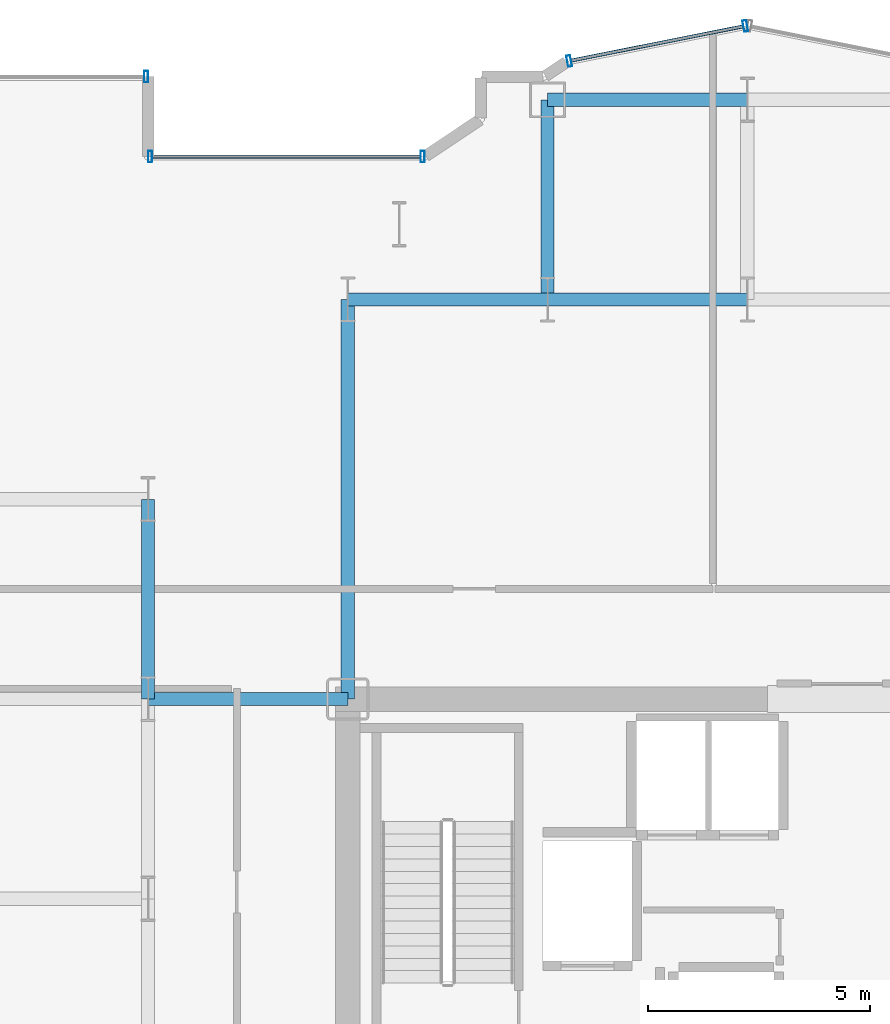
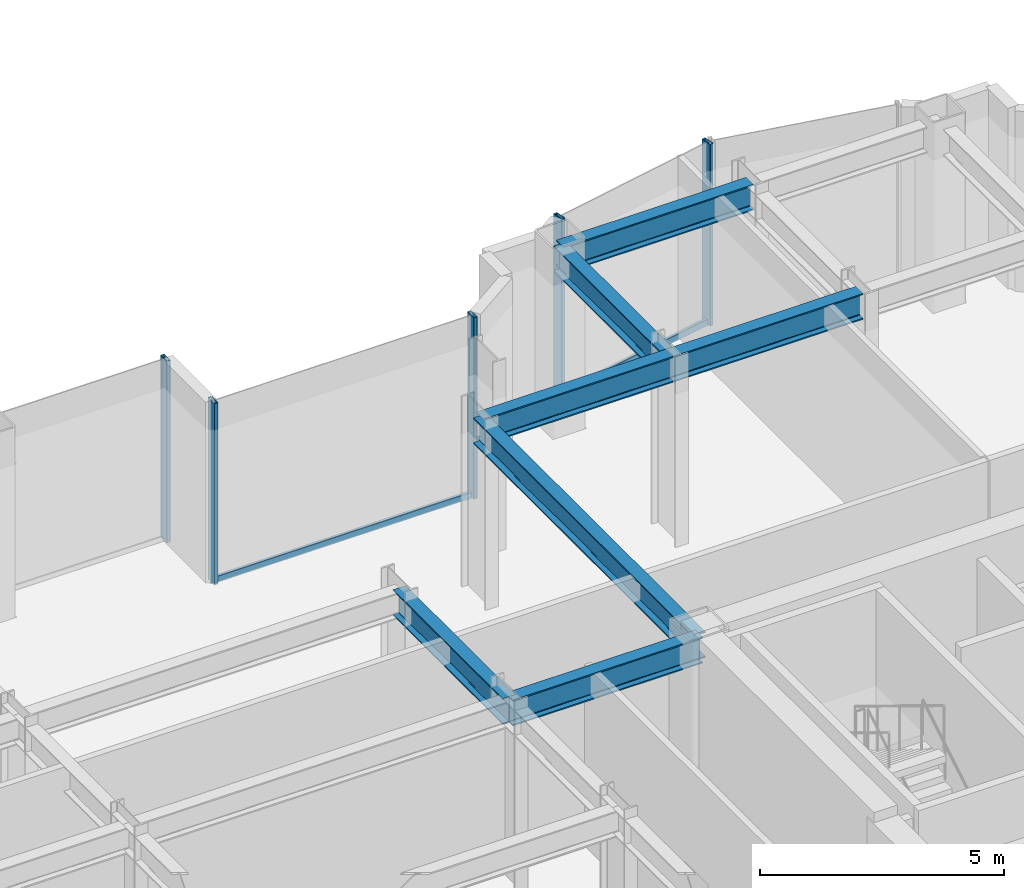
# One storey, part 10 of 27: 7 beams, 7 members, 3 elements without a shape of their own.
"""IFC4 building model written with IfcOpenShell, lengths in metres."""

from ifc_helpers import new_model, si_unit, direction, frame, origin, origin_2d, place, context, subcontext, project, spatial, hollow_rectangle, i_section, extrude, source, transform, mapped, material, layer, layer_set, material_profile, profile_set, type_object, element, aggregate, save


model = new_model("IFC4")

# Units and contexts
model_context = context("Model", 3, precision=1e-05, world=origin(), true_north=direction((0.0, 1.0)))
body_context = subcontext(model_context, "Body", "Model", "MODEL_VIEW")
ifc_project = project(units=[si_unit("LENGTHUNIT", "METRE"), si_unit("AREAUNIT", "SQUARE_METRE"), si_unit("VOLUMEUNIT", "CUBIC_METRE"), si_unit("PLANEANGLEUNIT", "RADIAN"), si_unit("MASSUNIT", "GRAM", prefix="KILO")], contexts=[model_context])

# Site, building, storey
site_placement = place(None, origin())
site = spatial("IfcSite", under=ifc_project, at=site_placement, CompositionType="ELEMENT")
building_placement = place(site_placement, origin())
building = spatial("IfcBuilding", under=site, at=building_placement, Name="Nefas-Gora Pilgrimage Tower", CompositionType="ELEMENT")
storey_placement = place(building_placement, frame((0.0, 0.0, 144.0)))
storey = spatial("IfcBuildingStorey", under=building, at=storey_placement, Name="L35", CompositionType="ELEMENT", Elevation=144.0)

# Beams
ifc_material_1 = material(Name="Steel S355", Category="steel")
ifc_material_profile_1 = material_profile(ifc_material_1, i_section(OverallWidth=0.300048828125, OverallDepth=0.64990234375, WebThickness=0.01611328125, FlangeThickness=0.031005859375, FilletRadius=0.027099609375, at=origin_2d()), Name="HEB 650")
ifc_profile_set_1 = profile_set([ifc_material_profile_1], Name="Steel S355")
beam_type = type_object("IfcBeamType", Name="BM-GIR-HEB650", PredefinedType="BEAM", material=ifc_profile_set_1)
shared_shape_1 = source(origin(), body_context, "Body", "SweptSolid", [
    extrude(i_section(OverallWidth=0.300048828125, OverallDepth=0.64990234375, WebThickness=0.01611328125, FlangeThickness=0.031005859375, FilletRadius=0.027099609375, at=origin_2d()), origin(), (0.0, 0.0, 1.0), 9.0),
])
beam_placement = place(storey_placement, frame((-11.25, 9.0, 4.22509765625), z_axis=(0.0, 1.0, 0.0), x_axis=(-1.0, 0.0, 0.0)))
element("IfcBeam", 1, at=beam_placement, inside=storey, type_object=beam_type, Name="L35 G-03 beam", PredefinedType="BEAM", context=body_context, shape_type="MappedRepresentation", body=[
    mapped(shared_shape_1, transform((0.0, 0.0, 0.0), x_axis=(1.0, 0.0, 0.0), y_axis=(0.0, 1.0, 0.0), z_axis=(0.0, 0.0, 1.0), scale=1.0)),
])
shared_shape_2 = source(origin(), body_context, "Body", "SweptSolid", [
    extrude(i_section(OverallWidth=0.300048828125, OverallDepth=0.64990234375, WebThickness=0.01611328125, FlangeThickness=0.031005859375, FilletRadius=0.027099609375, at=origin_2d()), origin(), (0.0, 0.0, 1.0), 4.5),
])
for number, where, z_axis, x_axis, name in (
    (2, (-15.75, 9.0, 4.22509765625), (0.0, 1.0, 0.0), (-1.0, 0.0, 0.0), "L35 G-03 beam"),
    (3, (-15.75, 9.0, 4.22509765625), (1.0, 0.0, 0.0), (0.0, 1.0, 0.0), "L35 G-03 beam"),
    (4, (-11.25, 18.0, 4.22509765625), (1.0, 0.0, 0.0), (0.0, 1.0, 0.0), "L35 G-03 beam"),
    (5, (-6.75, 18.0, 4.22509765625), (0.0, 1.0, 0.0), (-1.0, 0.0, 0.0), "L35 G-03 beam"),
    (6, (-6.75, 18.0, 4.22509765625), (1.0, 0.0, 0.0), (0.0, 1.0, 0.0), "L35 G-03 beam"),
    (7, (-6.75, 22.5, 4.22509765625), (1.0, 0.0, 0.0), (0.0, 1.0, 0.0), "L35 G-03 beam"),
):
    element("IfcBeam", number, at=place(storey_placement, frame(where, z_axis=z_axis, x_axis=x_axis)), inside=storey, type_object=beam_type, Name=name, PredefinedType="BEAM", context=body_context, shape_type="MappedRepresentation", body=[
        mapped(shared_shape_2, transform((0.0, 0.0, 0.0), x_axis=(1.0, 0.0, 0.0), y_axis=(0.0, 1.0, 0.0), z_axis=(0.0, 0.0, 1.0), scale=1.0)),
    ])

# Curtain wall, member
ifc_material_2 = material(Name="Dark ceramic-fritted solar-control aluminium-glass curtain wall", Category="aluminium")
ifc_layer_1 = layer(ifc_material_2, 0.219970703125)
ifc_layer_set_1 = layer_set([ifc_layer_1], Name="Dark ceramic-fritted solar-control aluminium-glass curtain wall")
curtain_wall_type_1 = type_object("IfcCurtainWallType", Name="CW-SYS-5", PredefinedType="NOTDEFINED", material=ifc_layer_set_1)
curtain_wall_1_placement = place(storey_placement, origin())
curtain_wall_1 = element("IfcCurtainWall", 8, at=curtain_wall_1_placement, inside=storey, type_object=curtain_wall_type_1, Name="L35 Unitised Curtain Wall CW5", PredefinedType="NOTDEFINED")
ifc_material_3 = material(Name="Anodised architectural aluminium", Category="aluminium")
ifc_material_profile_2 = material_profile(ifc_material_3, hollow_rectangle(XDim=0.080078125, YDim=0.159912109375, WallThickness=0.00439453125, InnerFilletRadius=0.00439453125, OuterFilletRadius=0.009033203125, at=origin_2d()), Name="ALU TRANSOM 80x160")
ifc_profile_set_2 = profile_set([ifc_material_profile_2], Name="Anodised architectural aluminium")
member_type_1 = type_object("IfcMemberType", Name="CWM-TRN-5", PredefinedType="USERDEFINED", material=ifc_profile_set_2)
shared_shape_3 = source(origin(), body_context, "Body", "SweptSolid", [
    extrude(hollow_rectangle(XDim=0.080078125, YDim=0.159912109375, WallThickness=0.00439453125, InnerFilletRadius=0.00439453125, OuterFilletRadius=0.009033203125, at=origin_2d()), origin(), (0.0, 0.0, 1.0), 6.052001953125),
])
member_1_placement = place(storey_placement, frame((-9.60791015625, 21.219970703125, 0.050048828125), z_axis=(-1.0, 0.0, 0.0), x_axis=(0.0, -1.0, 0.0)))
member_1 = element("IfcMember", 9, at=member_1_placement, type_object=member_type_1, Name="CW5 Spandrel Transom", ObjectType="TRANSOM", PredefinedType="USERDEFINED", context=body_context, shape_type="MappedRepresentation", body=[
    mapped(shared_shape_3, transform((0.0, 0.0, 0.0), x_axis=(1.0, 0.0, 0.0), y_axis=(0.0, 1.0, 0.0), z_axis=(0.0, 0.0, 1.0), scale=1.0)),
])

# Curtain wall, members
curtain_wall_2_placement = place(storey_placement, origin())
curtain_wall_2 = element("IfcCurtainWall", 10, at=curtain_wall_2_placement, inside=storey, type_object=curtain_wall_type_1, Name="L35 Unitised Curtain Wall CW5", PredefinedType="NOTDEFINED")
shared_shape_4 = source(origin(), body_context, "Body", "SweptSolid", [
    extrude(hollow_rectangle(XDim=0.080078125, YDim=0.159912109375, WallThickness=0.00439453125, InnerFilletRadius=0.00439453125, OuterFilletRadius=0.009033203125, at=origin_2d()), origin(), (0.0, 0.0, 1.0), 3.95654296875),
])
member_2_placement = place(storey_placement, frame((-2.33837890625, 24.15478515625, 0.050048828125), z_axis=(-0.980781880918, -0.195107411605, 0.0), x_axis=(0.195107411605, -0.980781880918, 0.0)))
member_2 = element("IfcMember", 11, at=member_2_placement, type_object=member_type_1, Name="CW5 Spandrel Transom", ObjectType="TRANSOM", PredefinedType="USERDEFINED", context=body_context, shape_type="MappedRepresentation", body=[
    mapped(shared_shape_4, transform((0.0, 0.0, 0.0), x_axis=(1.0, 0.0, 0.0), y_axis=(0.0, 1.0, 0.0), z_axis=(0.0, 0.0, 1.0), scale=1.0)),
])
ifc_material_profile_3 = material_profile(ifc_material_3, hollow_rectangle(XDim=0.090087890625, YDim=0.260009765625, WallThickness=0.006103515625, InnerFilletRadius=0.006103515625, OuterFilletRadius=0.011962890625, at=origin_2d()), Name="ALU MULLION 90x260")
ifc_profile_set_3 = profile_set([ifc_material_profile_3], Name="Anodised architectural aluminium")
member_type_2 = type_object("IfcMemberType", Name="CWM-MUL-5", PredefinedType="MULLION", material=ifc_profile_set_3)
shared_shape_5 = source(origin(), body_context, "Body", "SweptSolid", [
    extrude(hollow_rectangle(XDim=0.090087890625, YDim=0.260009765625, WallThickness=0.006103515625, InnerFilletRadius=0.006103515625, OuterFilletRadius=0.011962890625, at=origin_2d()), origin(), (0.0, 0.0, 1.0), 4.550048828125),
])
member_3_placement = place(storey_placement, frame((-2.294189453125, 24.16357421875, 0.0), z_axis=(0.0, 0.0, 1.0), x_axis=(-0.980782896852, -0.195102304554, 0.0)))
member_3 = element("IfcMember", 12, at=member_3_placement, type_object=member_type_2, Name="CW5 Mullion 1", PredefinedType="MULLION", context=body_context, shape_type="MappedRepresentation", body=[
    mapped(shared_shape_5, transform((0.0, 0.0, 0.0), x_axis=(1.0, 0.0, 0.0), y_axis=(0.0, 1.0, 0.0), z_axis=(0.0, 0.0, 1.0), scale=1.0)),
])
member_4_placement = place(storey_placement, frame((-6.26318359375, 23.3740234375, 0.0), z_axis=(0.0, 0.0, 1.0), x_axis=(-0.980782896852, -0.195102304554, 0.0)))
member_4 = element("IfcMember", 13, at=member_4_placement, type_object=member_type_2, Name="CW5 Mullion 2", PredefinedType="MULLION", context=body_context, shape_type="MappedRepresentation", body=[
    mapped(shared_shape_5, transform((0.0, 0.0, 0.0), x_axis=(1.0, 0.0, 0.0), y_axis=(0.0, 1.0, 0.0), z_axis=(0.0, 0.0, 1.0), scale=1.0)),
])
aggregate(curtain_wall_2, [member_3, member_4, member_2])

# Member
member_5_placement = place(storey_placement, frame((-9.56298828125, 21.219970703125, 0.0), z_axis=(0.0, 0.0, 1.0), x_axis=(-1.0, 0.0, 0.0)))
member_5 = element("IfcMember", 14, at=member_5_placement, type_object=member_type_2, Name="CW5 Mullion 1", PredefinedType="MULLION", context=body_context, shape_type="MappedRepresentation", body=[
    mapped(shared_shape_5, transform((0.0, 0.0, 0.0), x_axis=(1.0, 0.0, 0.0), y_axis=(0.0, 1.0, 0.0), z_axis=(0.0, 0.0, 1.0), scale=1.0)),
])

member_6_placement = place(storey_placement, frame((-15.705078125, 21.219970703125, 0.0), z_axis=(0.0, 0.0, 1.0), x_axis=(-1.0, 0.0, 0.0)))
member_6 = element("IfcMember", 15, at=member_6_placement, type_object=member_type_2, Name="CW5 Mullion 2", PredefinedType="MULLION", context=body_context, shape_type="MappedRepresentation", body=[
    mapped(shared_shape_5, transform((0.0, 0.0, 0.0), x_axis=(1.0, 0.0, 0.0), y_axis=(0.0, 1.0, 0.0), z_axis=(0.0, 0.0, 1.0), scale=1.0)),
])

aggregate(curtain_wall_1, [member_5, member_6, member_1])

# Curtain wall, member
ifc_layer_2 = layer(ifc_material_2, 0.219970703125)
ifc_layer_set_2 = layer_set([ifc_layer_2], Name="Dark ceramic-fritted solar-control aluminium-glass curtain wall")
curtain_wall_type_2 = type_object("IfcCurtainWallType", Name="CW-SYS-2", PredefinedType="NOTDEFINED", material=ifc_layer_set_2)
curtain_wall_3_placement = place(storey_placement, origin())
curtain_wall_3 = element("IfcCurtainWall", 16, at=curtain_wall_3_placement, inside=storey, type_object=curtain_wall_type_2, Name="L35 Unitised Curtain Wall CW2", PredefinedType="NOTDEFINED")
ifc_material_profile_4 = material_profile(ifc_material_3, hollow_rectangle(XDim=0.090087890625, YDim=0.260009765625, WallThickness=0.006103515625, InnerFilletRadius=0.006103515625, OuterFilletRadius=0.011962890625, at=origin_2d()), Name="ALU MULLION 90x260")
ifc_profile_set_4 = profile_set([ifc_material_profile_4], Name="Anodised architectural aluminium")
member_type_3 = type_object("IfcMemberType", Name="CWM-MUL-2", PredefinedType="MULLION", material=ifc_profile_set_4)
shared_shape_6 = source(origin(), body_context, "Body", "SweptSolid", [
    extrude(hollow_rectangle(XDim=0.090087890625, YDim=0.260009765625, WallThickness=0.006103515625, InnerFilletRadius=0.006103515625, OuterFilletRadius=0.011962890625, at=origin_2d()), origin(), (0.0, 0.0, 1.0), 4.550048828125),
])
member_7_placement = place(storey_placement, frame((-15.794921875, 23.02001953125, 0.0), z_axis=(0.0, 0.0, 1.0), x_axis=(-1.0, 0.0, 0.0)))
member_7 = element("IfcMember", 17, at=member_7_placement, type_object=member_type_3, Name="CW2 Mullion 1", PredefinedType="MULLION", context=body_context, shape_type="MappedRepresentation", body=[
    mapped(shared_shape_6, transform((0.0, 0.0, 0.0), x_axis=(1.0, 0.0, 0.0), y_axis=(0.0, 1.0, 0.0), z_axis=(0.0, 0.0, 1.0), scale=1.0)),
])
aggregate(curtain_wall_3, [member_7])

save(model, "model.ifc")
